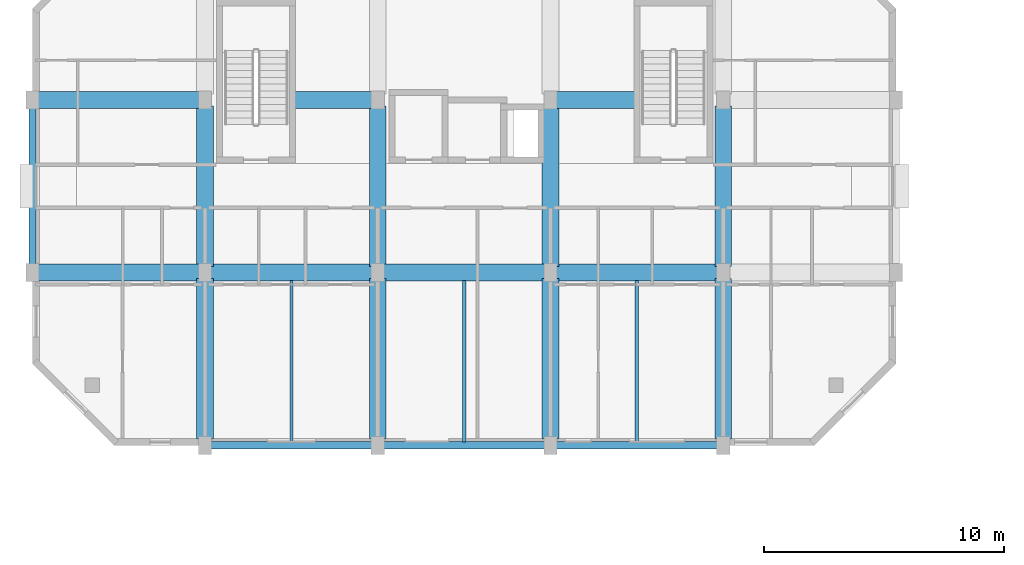
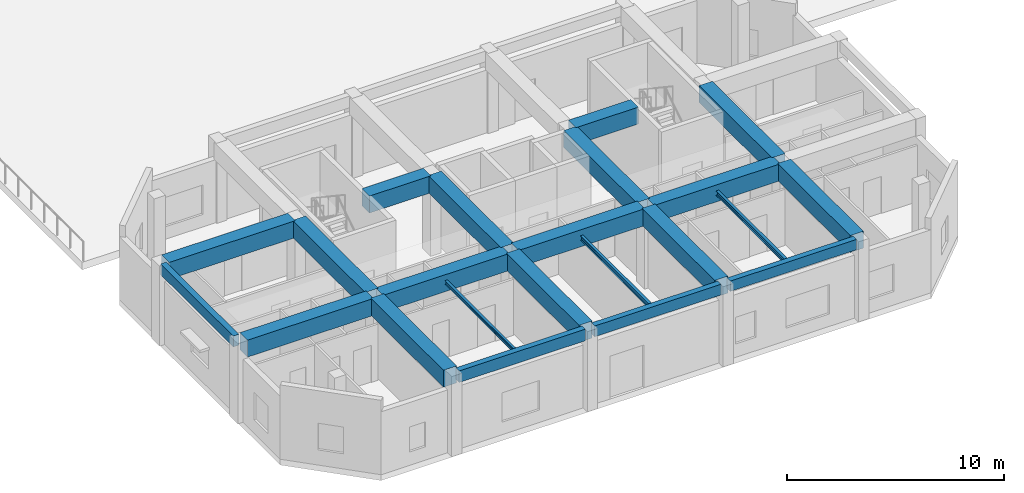
# One storey, part 23 of 85: 22 beams.
"""IFC4 building model written with IfcOpenShell, lengths in metres."""

import ifcopenshell
import ifcopenshell.guid

model = None  # the IFC model being written
_history = None  # IfcOwnerHistory: only IFC2X3 demands one
_inside = {}  # id of a spatial element -> (the spatial element, [elements in it])
_under = {}  # id of a project, library or spatial element -> (it, [spatial elements below it])
_declared = {}  # id of a project -> (the project, [libraries it declares])
_typed = {}  # id of a type object -> (the type object, [elements of that type])
_made_of = {}  # id of a material, layer set ... -> (it, [elements and type objects made of it])


def new_model(schema):
    """Start an empty IFC model of exactly this schema.

    Asked for "IFC4X3", IfcOpenShell would pick the latest addendum, in which some entities
    have other attributes; the version numbers below select the first issue.
    IFC2X3 requires an IfcOwnerHistory on every rooted entity: one is made here for all.
    """
    global model, _history
    if schema == "IFC4X3":
        model = ifcopenshell.file(schema_version=(4, 3, 0, 0))
    else:
        model = ifcopenshell.file(schema=schema)
    _inside.clear()
    _under.clear()
    _declared.clear()
    _typed.clear()
    _made_of.clear()
    _history = None
    if model.schema == "IFC2X3":
        org = make("IfcOrganization", Name="unknown")
        user = make(
            "IfcPersonAndOrganization",
            ThePerson=make("IfcPerson", FamilyName="unknown"),
            TheOrganization=org,
        )
        app = make(
            "IfcApplication",
            ApplicationDeveloper=org,
            Version="unknown",
            ApplicationFullName="unknown",
            ApplicationIdentifier="unknown",
        )
        _history = make(
            "IfcOwnerHistory",
            OwningUser=user,
            OwningApplication=app,
            ChangeAction="ADDED",
            CreationDate=0,
        )
    return model


def make(cls, **values):
    """One entity of the class cls with the attributes given. An attribute that is None is left unset."""
    return model.create_entity(
        cls, **{name: value for name, value in values.items() if value is not None}
    )


def rooted(cls, **values):
    """An entity with a GlobalId (a new one), such as an element, a storey or a relation."""
    return make(cls, GlobalId=ifcopenshell.guid.new(), OwnerHistory=_history, **values)


def si_unit(unit_type, name, prefix=None):
    """IfcSIUnit, for example si_unit("LENGTHUNIT", "METRE", prefix="MILLI")."""
    return make("IfcSIUnit", UnitType=unit_type, Prefix=prefix, Name=name)


def assignment(units):
    """IfcUnitAssignment: the units of a project."""
    return None if units is None else make("IfcUnitAssignment", Units=units)


def point(xyz):
    """IfcCartesianPoint."""
    return None if xyz is None else make("IfcCartesianPoint", Coordinates=xyz)


def direction(xyz):
    """IfcDirection."""
    return None if xyz is None else make("IfcDirection", DirectionRatios=xyz)


def frame(location, z_axis=None, x_axis=None):
    """IfcAxis2Placement3D, a coordinate frame: its origin and axes. An axis left out is left unset."""
    return make(
        "IfcAxis2Placement3D",
        Location=point(location),
        Axis=direction(z_axis),
        RefDirection=direction(x_axis),
    )


def frame_2d(location, x_axis=None):
    """IfcAxis2Placement2D, a coordinate frame in the plane: its origin and x axis."""
    return make(
        "IfcAxis2Placement2D", Location=point(location), RefDirection=direction(x_axis)
    )


def origin():
    """The frame at (0, 0, 0) with its axes left unset."""
    return frame((0.0, 0.0, 0.0))


def origin_2d():
    """The frame at (0, 0) in the plane with its x axis left unset."""
    return frame_2d((0.0, 0.0))


def place(relative_to, where):
    """IfcLocalPlacement: puts the frame where relative to a parent placement (None: the world)."""
    return make(
        "IfcLocalPlacement", PlacementRelTo=relative_to, RelativePlacement=where
    )


def context(
    kind, dimensions, precision=None, world=None, true_north=None, identifier=None
):
    """IfcGeometricRepresentationContext, for example the 3D "Model" context."""
    return make(
        "IfcGeometricRepresentationContext",
        ContextIdentifier=identifier,
        ContextType=kind,
        CoordinateSpaceDimension=dimensions,
        Precision=precision,
        WorldCoordinateSystem=world,
        TrueNorth=true_north,
    )


def subcontext(parent, identifier, kind, view, scale=None):
    """IfcGeometricRepresentationSubContext, for example "Body" below "Model"."""
    return make(
        "IfcGeometricRepresentationSubContext",
        ContextIdentifier=identifier,
        ContextType=kind,
        ParentContext=parent,
        TargetScale=scale,
        TargetView=view,
    )


def project(units=None, contexts=None):
    """IfcProject with its units and contexts."""
    return rooted(
        "IfcProject",
        Name="project",
        RepresentationContexts=contexts,
        UnitsInContext=assignment(units),
    )


def spatial(cls, under=None, at=None, **own):
    """A site, building, storey or space (cls), placed at a placement, below another one or the project."""
    s = rooted(cls, ObjectPlacement=at, **own)
    if under is not None:
        _under.setdefault(under.id(), (under, []))[1].append(s)
    return s


def profile(cls, at=None, kind="AREA", **sizes):
    """A parametric profile (cls). Its sizes go by their IFC names, for example OverallWidth=200.0."""
    return make(cls, ProfileType=kind, Position=at, **sizes)


def rectangle(**sizes):
    """IfcRectangleProfileDef."""
    return profile("IfcRectangleProfileDef", **sizes)


def i_section(**sizes):
    """IfcIShapeProfileDef."""
    return profile("IfcIShapeProfileDef", **sizes)


def extrude(swept, where, along, depth):
    """IfcExtrudedAreaSolid: the profile swept, set in the frame where, extruded along a direction by depth."""
    return make(
        "IfcExtrudedAreaSolid",
        SweptArea=swept,
        Position=where,
        ExtrudedDirection=direction(along),
        Depth=depth,
    )


def shape(context_of_items, identifier, shape_type, items):
    """IfcShapeRepresentation: the items that make up one representation, for example the "Body"."""
    return make(
        "IfcShapeRepresentation",
        ContextOfItems=context_of_items,
        RepresentationIdentifier=identifier,
        RepresentationType=shape_type,
        Items=items,
    )


def material(Name=None, Category=None):
    """IfcMaterial."""
    return make("IfcMaterial", Name=Name, Category=Category)


def material_profile(
    of_material, cross_section, Name=None, Category=None, Priority=None
):
    """IfcMaterialProfile: a cross section and its material."""
    return make(
        "IfcMaterialProfile",
        Name=Name,
        Material=of_material,
        Profile=cross_section,
        Priority=Priority,
        Category=Category,
    )


def profile_set(profiles, Name=None, composite=None):
    """IfcMaterialProfileSet."""
    return make(
        "IfcMaterialProfileSet",
        Name=Name,
        MaterialProfiles=profiles,
        CompositeProfile=composite,
    )


def made_of(thing, what):
    """Note that an element or type object is made of a material, layer set ...; save() writes the relation."""
    if what is not None:
        _made_of.setdefault(what.id(), (what, []))[1].append(thing)
    return thing


def type_object(cls, material=None, **own):
    """A type object (cls), such as IfcWallType, which elements share."""
    return made_of(rooted(cls, **own), material)


def element(
    cls,
    number,
    at=None,
    inside=None,
    cuts=None,
    type_object=None,
    material=None,
    context=None,
    identifier="Body",
    shape_type=None,
    held_by="IfcProductDefinitionShape",
    body=None,
    shapes=None,
    **own,
):
    """One element of the class cls, such as IfcWall. Its Tag is "e" and its number.

    at: its placement. inside: the storey or other place that contains it. cuts: it is an
    opening in that element (IfcRelVoidsElement). A single representation is given by context,
    identifier, shape_type and body (its items); several are given by shapes. held_by: the class
    of the entity that holds the representations. save() writes the other relations.
    """
    e = rooted(cls, Tag="e%d" % number, ObjectPlacement=at, **own)
    if body is not None:
        shapes = [shape(context, identifier, shape_type, body)]
    if shapes is not None:
        e.Representation = make(held_by, Representations=shapes)
    if inside is not None:
        _inside.setdefault(inside.id(), (inside, []))[1].append(e)
    if cuts is not None:
        rooted(
            "IfcRelVoidsElement", RelatingBuildingElement=cuts, RelatedOpeningElement=e
        )
    if type_object is not None:
        _typed.setdefault(type_object.id(), (type_object, []))[1].append(e)
    return made_of(e, material)


def aggregate(whole, parts):
    """IfcRelAggregates: a whole, such as a stair, and the parts it consists of."""
    return rooted("IfcRelAggregates", RelatingObject=whole, RelatedObjects=parts)


def save(model, path):
    """Write the relations noted so far, then the file.

    IfcRelAggregates (storeys below a building ...), IfcRelContainedInSpatialStructure (elements
    in a storey), IfcRelDefinesByType, IfcRelAssociatesMaterial and IfcRelDeclares: one each for
    every whole, place, type object, material and project.
    """
    for whole, parts in _under.values():
        aggregate(whole, parts)
    for where, things in _inside.values():
        rooted(
            "IfcRelContainedInSpatialStructure",
            RelatedElements=things,
            RelatingStructure=where,
        )
    for kind, things in _typed.values():
        rooted("IfcRelDefinesByType", RelatedObjects=things, RelatingType=kind)
    for what, things in _made_of.values():
        rooted("IfcRelAssociatesMaterial", RelatedObjects=things, RelatingMaterial=what)
    for by, libraries in _declared.values():
        rooted("IfcRelDeclares", RelatingContext=by, RelatedDefinitions=libraries)
    model.write(path)


model = new_model("IFC4")

# Units and contexts
model_context = context("Model", 3, precision=1e-05, world=origin(), true_north=direction((0.0, 1.0)))
body_context = subcontext(model_context, "Body", "Model", "MODEL_VIEW")
ifc_project = project(units=[si_unit("LENGTHUNIT", "METRE"), si_unit("AREAUNIT", "SQUARE_METRE"), si_unit("VOLUMEUNIT", "CUBIC_METRE"), si_unit("PLANEANGLEUNIT", "RADIAN"), si_unit("MASSUNIT", "GRAM", prefix="KILO")], contexts=[model_context])

# Site, building, storey
site_placement = place(None, origin())
site = spatial("IfcSite", under=ifc_project, at=site_placement, CompositionType="ELEMENT")
building_placement = place(site_placement, origin())
building = spatial("IfcBuilding", under=site, at=building_placement, Name="Ochrevale Crest", CompositionType="ELEMENT")
storey_placement = place(building_placement, origin())
storey = spatial("IfcBuildingStorey", under=building, at=storey_placement, Name="L00", CompositionType="ELEMENT", Elevation=0.0)

# Beams
ifc_material_1 = material(Name="Precast concrete C40/50", Category="concrete")
ifc_material_profile_1 = material_profile(ifc_material_1, rectangle(XDim=0.300048828125, YDim=0.580078125, at=origin_2d()), Name="PC 300x580")
ifc_profile_set_1 = profile_set([ifc_material_profile_1], Name="Precast concrete C40/50")
beam_type_1 = type_object("IfcBeamType", Name="BM-SP300x580", PredefinedType="SPANDREL", material=ifc_profile_set_1)
beam_1_placement = place(storey_placement, frame((21.85009765625, 14.39990234375, 4.2099609375), z_axis=(1.0, 0.0, 0.0), x_axis=(0.0, 1.0, 0.0)))
element("IfcBeam", 1, at=beam_1_placement, inside=storey, type_object=beam_type_1, Name="Block A L00 E-W beam Y=14.4", PredefinedType="SPANDREL", context=body_context, shape_type="SweptSolid", body=[
    extrude(rectangle(XDim=0.300048828125, YDim=0.580078125, at=origin_2d()), origin(), (0.0, 0.0, 1.0), 6.699951171875),
])
ifc_material_profile_2 = material_profile(ifc_material_1, rectangle(XDim=0.300048828125, YDim=0.60009765625, at=origin_2d()), Name="PC 300x600")
ifc_profile_set_2 = profile_set([ifc_material_profile_2], Name="Precast concrete C40/50")
beam_type_2 = type_object("IfcBeamType", Name="BM-SP300x600", PredefinedType="SPANDREL", material=ifc_profile_set_2)
beam_2_placement = place(storey_placement, frame((14.64990234375, 14.39990234375, 4.199951171875), z_axis=(1.0, 0.0, 0.0), x_axis=(0.0, 1.0, 0.0)))
element("IfcBeam", 2, at=beam_2_placement, inside=storey, type_object=beam_type_2, Name="Block A L00 E-W beam Y=14.4", PredefinedType="SPANDREL", context=body_context, shape_type="SweptSolid", body=[
    extrude(rectangle(XDim=0.300048828125, YDim=0.60009765625, at=origin_2d()), origin(), (0.0, 0.0, 1.0), 6.7001953125),
])
beam_3_placement = place(storey_placement, frame((0.0, 21.85498046875, 4.199951171875), z_axis=(0.0, 1.0, 0.0), x_axis=(-1.0, 0.0, 0.0)))
element("IfcBeam", 3, at=beam_3_placement, inside=storey, type_object=beam_type_2, Name="Block A L00 N-S beam X=0.0", PredefinedType="SPANDREL", context=body_context, shape_type="SweptSolid", body=[
    extrude(rectangle(XDim=0.300048828125, YDim=0.60009765625, at=origin_2d()), origin(), (0.0, 0.0, 1.0), 6.68994140625),
])
ifc_material_profile_3 = material_profile(ifc_material_1, rectangle(XDim=0.300048828125, YDim=0.64990234375, at=origin_2d()), Name="PC 300x650")
ifc_profile_set_3 = profile_set([ifc_material_profile_3], Name="Precast concrete C40/50")
beam_type_3 = type_object("IfcBeamType", Name="BM-SP300x650", PredefinedType="SPANDREL", material=ifc_profile_set_3)
beam_4_placement = place(storey_placement, frame((7.449951171875, 14.39990234375, 4.175048828125), z_axis=(1.0, 0.0, 0.0), x_axis=(0.0, 1.0, 0.0)))
element("IfcBeam", 4, at=beam_4_placement, inside=storey, type_object=beam_type_3, Name="Block A L00 E-W beam Y=14.4", PredefinedType="SPANDREL", context=body_context, shape_type="SweptSolid", body=[
    extrude(rectangle(XDim=0.300048828125, YDim=0.64990234375, at=origin_2d()), origin(), (0.0, 0.0, 1.0), 6.699951171875),
])
ifc_material_2 = material(Name="Concrete C50/60", Category="concrete")
ifc_material_profile_4 = material_profile(ifc_material_2, rectangle(XDim=0.699951171875, YDim=0.949951171875, at=origin_2d()), Name="RC 700x950")
ifc_profile_set_4 = profile_set([ifc_material_profile_4], Name="Concrete C50/60")
beam_type_4 = type_object("IfcBeamType", Name="BM-TG700x950", PredefinedType="USERDEFINED", material=ifc_profile_set_4)
for number, where, z_axis, x_axis, name in (
    (5, (0.25, 21.60009765625, 4.02490234375), (1.0, 0.0, 0.0), (0.0, 1.0, 0.0), "Block A L00 E-W beam Y=21.6"),
    (6, (7.449951171875, 21.60009765625, 4.02490234375), (1.0, 0.0, 0.0), (0.0, 1.0, 0.0), "Block A L00 E-W beam Y=21.6"),
):
    element("IfcBeam", number, at=place(storey_placement, frame(where, z_axis=z_axis, x_axis=x_axis)), inside=storey, type_object=beam_type_4, Name=name, ObjectType="GIRDER", PredefinedType="USERDEFINED", context=body_context, shape_type="SweptSolid", body=[
        extrude(rectangle(XDim=0.699951171875, YDim=0.949951171875, at=origin_2d()), origin(), (0.0, 0.0, 1.0), 6.699951171875),
    ])
beam_5_placement = place(storey_placement, frame((14.64990234375, 21.60009765625, 4.02490234375), z_axis=(1.0, 0.0, 0.0), x_axis=(0.0, 1.0, 0.0)))
element("IfcBeam", 7, at=beam_5_placement, inside=storey, type_object=beam_type_4, Name="Block A L00 E-W beam Y=21.6", ObjectType="GIRDER", PredefinedType="USERDEFINED", context=body_context, shape_type="SweptSolid", body=[
    extrude(rectangle(XDim=0.699951171875, YDim=0.949951171875, at=origin_2d()), origin(), (0.0, 0.0, 1.0), 6.7001953125),
])
for number, where, z_axis, x_axis, name in (
    (8, (21.85009765625, 21.60009765625, 4.02490234375), (1.0, 0.0, 0.0), (0.0, 1.0, 0.0), "Block A L00 E-W beam Y=21.6"),
    (9, (0.25, 28.800048828125, 4.02490234375), (1.0, 0.0, 0.0), (0.0, 1.0, 0.0), "Block A L00 E-W beam Y=28.8"),
):
    element("IfcBeam", number, at=place(storey_placement, frame(where, z_axis=z_axis, x_axis=x_axis)), inside=storey, type_object=beam_type_4, Name=name, ObjectType="GIRDER", PredefinedType="USERDEFINED", context=body_context, shape_type="SweptSolid", body=[
        extrude(rectangle(XDim=0.699951171875, YDim=0.949951171875, at=origin_2d()), origin(), (0.0, 0.0, 1.0), 6.699951171875),
    ])
beam_6_placement = place(storey_placement, frame((10.889892578125, 28.800048828125, 4.02490234375), z_axis=(1.0, 0.0, 0.0), x_axis=(0.0, 1.0, 0.0)))
element("IfcBeam", 10, at=beam_6_placement, inside=storey, type_object=beam_type_4, Name="Block A L00 E-W beam Y=28.8", ObjectType="GIRDER", PredefinedType="USERDEFINED", context=body_context, shape_type="SweptSolid", body=[
    extrude(rectangle(XDim=0.699951171875, YDim=0.949951171875, at=origin_2d()), origin(), (0.0, 0.0, 1.0), 3.260009765625),
])
beam_7_placement = place(storey_placement, frame((21.85009765625, 28.800048828125, 4.02490234375), z_axis=(1.0, 0.0, 0.0), x_axis=(0.0, 1.0, 0.0)))
element("IfcBeam", 11, at=beam_7_placement, inside=storey, type_object=beam_type_4, Name="Block A L00 E-W beam Y=28.8", ObjectType="GIRDER", PredefinedType="USERDEFINED", context=body_context, shape_type="SweptSolid", body=[
    extrude(rectangle(XDim=0.699951171875, YDim=0.949951171875, at=origin_2d()), origin(), (0.0, 0.0, 1.0), 3.309814453125),
])
for number, where, z_axis, x_axis, name in (
    (12, (7.199951171875, 14.655029296875, 4.02490234375), (0.0, 1.0, 0.0), (-1.0, 0.0, 0.0), "Block A L00 N-S beam X=7.2"),
    (13, (7.199951171875, 21.85498046875, 4.02490234375), (0.0, 1.0, 0.0), (-1.0, 0.0, 0.0), "Block A L00 N-S beam X=7.2"),
    (14, (14.39990234375, 14.655029296875, 4.02490234375), (0.0, 1.0, 0.0), (-1.0, 0.0, 0.0), "Block A L00 N-S beam X=14.4"),
    (15, (14.39990234375, 21.85498046875, 4.02490234375), (0.0, 1.0, 0.0), (-1.0, 0.0, 0.0), "Block A L00 N-S beam X=14.4"),
    (16, (21.60009765625, 14.655029296875, 4.02490234375), (0.0, 1.0, 0.0), (-1.0, 0.0, 0.0), "Block A L00 N-S beam X=21.6"),
    (17, (21.60009765625, 21.85498046875, 4.02490234375), (0.0, 1.0, 0.0), (-1.0, 0.0, 0.0), "Block A L00 N-S beam X=21.6"),
    (18, (28.800048828125, 14.655029296875, 4.02490234375), (0.0, 1.0, 0.0), (-1.0, 0.0, 0.0), "Block A L00 N-S beam X=28.8"),
    (19, (28.800048828125, 21.85498046875, 4.02490234375), (0.0, 1.0, 0.0), (-1.0, 0.0, 0.0), "Block A L00 N-S beam X=28.8"),
):
    element("IfcBeam", number, at=place(storey_placement, frame(where, z_axis=z_axis, x_axis=x_axis)), inside=storey, type_object=beam_type_4, Name=name, ObjectType="GIRDER", PredefinedType="USERDEFINED", context=body_context, shape_type="SweptSolid", body=[
        extrude(rectangle(XDim=0.699951171875, YDim=0.949951171875, at=origin_2d()), origin(), (0.0, 0.0, 1.0), 6.68994140625),
    ])
ifc_material_3 = material(Name="Steel S355", Category="steel")
ifc_material_profile_5 = material_profile(ifc_material_3, i_section(OverallWidth=0.134033203125, OverallDepth=0.20703125, WebThickness=0.00634765625, FlangeThickness=0.009521484375, FilletRadius=0.0087890625, at=origin_2d()), Name="200UB29.8")
ifc_profile_set_5 = profile_set([ifc_material_profile_5], Name="Steel S355")
beam_type_5 = type_object("IfcBeamType", Name="BM-UB200B", PredefinedType="JOIST", material=ifc_profile_set_5)
beam_8_placement = place(storey_placement, frame((10.800048828125, 14.5380859375, 4.071533203125), z_axis=(0.0, 1.0, 0.0), x_axis=(-1.0, 0.0, 0.0)))
element("IfcBeam", 20, at=beam_8_placement, inside=storey, type_object=beam_type_5, Name="Block A L00 composite plank trimmer beam 2", PredefinedType="JOIST", context=body_context, shape_type="SweptSolid", body=[
    extrude(i_section(OverallWidth=0.134033203125, OverallDepth=0.20703125, WebThickness=0.00634765625, FlangeThickness=0.009521484375, FilletRadius=0.0087890625, at=origin_2d()), origin(), (0.0, 0.0, 1.0), 6.723876953125),
])
ifc_material_profile_6 = material_profile(ifc_material_3, i_section(OverallWidth=0.14599609375, OverallDepth=0.251708984375, WebThickness=0.006103515625, FlangeThickness=0.008544921875, FilletRadius=0.0087890625, at=origin_2d()), Name="250UB31.4")
ifc_profile_set_6 = profile_set([ifc_material_profile_6], Name="Steel S355")
beam_type_6 = type_object("IfcBeamType", Name="BM-UB250A", PredefinedType="JOIST", material=ifc_profile_set_6)
beam_9_placement = place(storey_placement, frame((18.0, 14.5380859375, 4.04931640625), z_axis=(0.0, 1.0, 0.0), x_axis=(-1.0, 0.0, 0.0)))
element("IfcBeam", 21, at=beam_9_placement, inside=storey, type_object=beam_type_6, Name="Block A L00 composite plank trimmer beam 3", PredefinedType="JOIST", context=body_context, shape_type="SweptSolid", body=[
    extrude(i_section(OverallWidth=0.14599609375, OverallDepth=0.251708984375, WebThickness=0.006103515625, FlangeThickness=0.008544921875, FilletRadius=0.0087890625, at=origin_2d()), origin(), (0.0, 0.0, 1.0), 6.723876953125),
])
ifc_material_profile_7 = material_profile(ifc_material_3, i_section(OverallWidth=0.146484375, OverallDepth=0.256103515625, WebThickness=0.00634765625, FlangeThickness=0.010986328125, FilletRadius=0.0087890625, at=origin_2d()), Name="250UB37.3")
ifc_profile_set_7 = profile_set([ifc_material_profile_7], Name="Steel S355")
beam_type_7 = type_object("IfcBeamType", Name="BM-UB250B", PredefinedType="JOIST", material=ifc_profile_set_7)
beam_10_placement = place(storey_placement, frame((25.199951171875, 14.5380859375, 4.046875), z_axis=(0.0, 1.0, 0.0), x_axis=(-1.0, 0.0, 0.0)))
element("IfcBeam", 22, at=beam_10_placement, inside=storey, type_object=beam_type_7, Name="Block A L00 composite plank trimmer beam 4", PredefinedType="JOIST", context=body_context, shape_type="SweptSolid", body=[
    extrude(i_section(OverallWidth=0.146484375, OverallDepth=0.256103515625, WebThickness=0.00634765625, FlangeThickness=0.010986328125, FilletRadius=0.0087890625, at=origin_2d()), origin(), (0.0, 0.0, 1.0), 6.723876953125),
])

save(model, "model.ifc")
